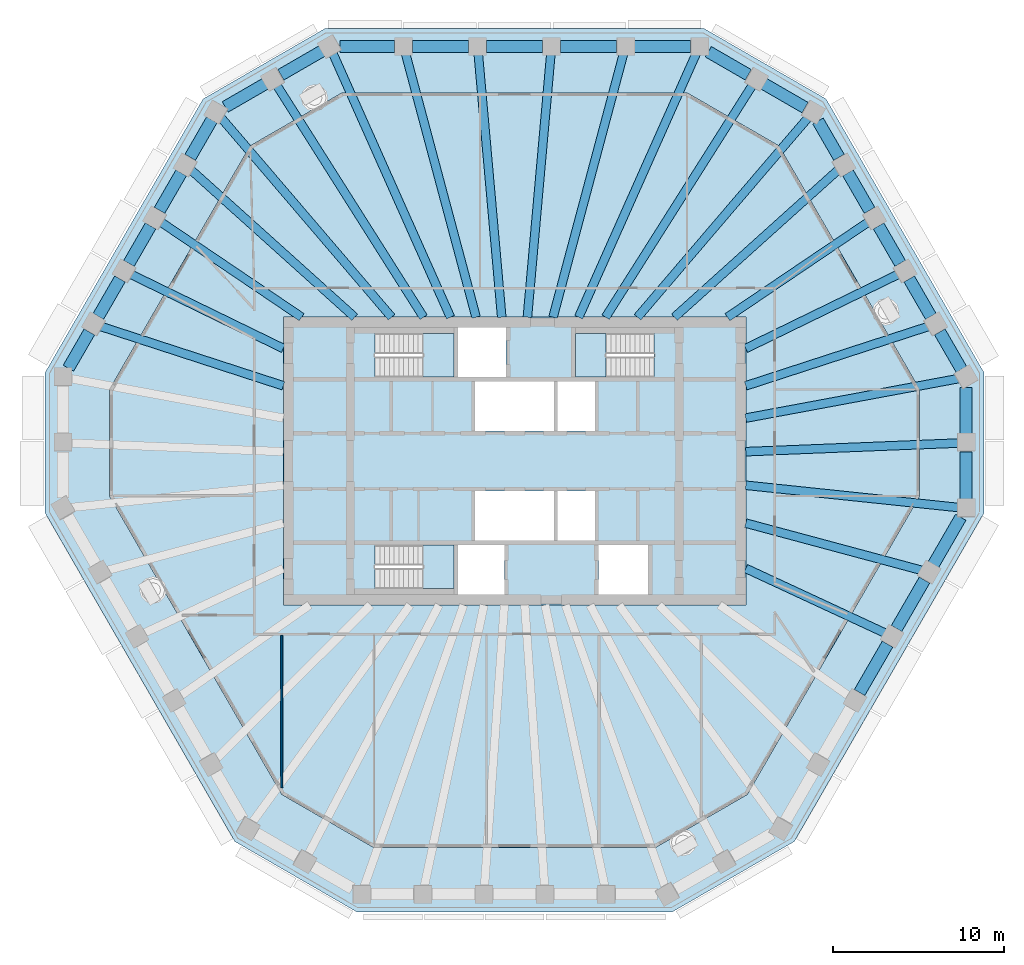
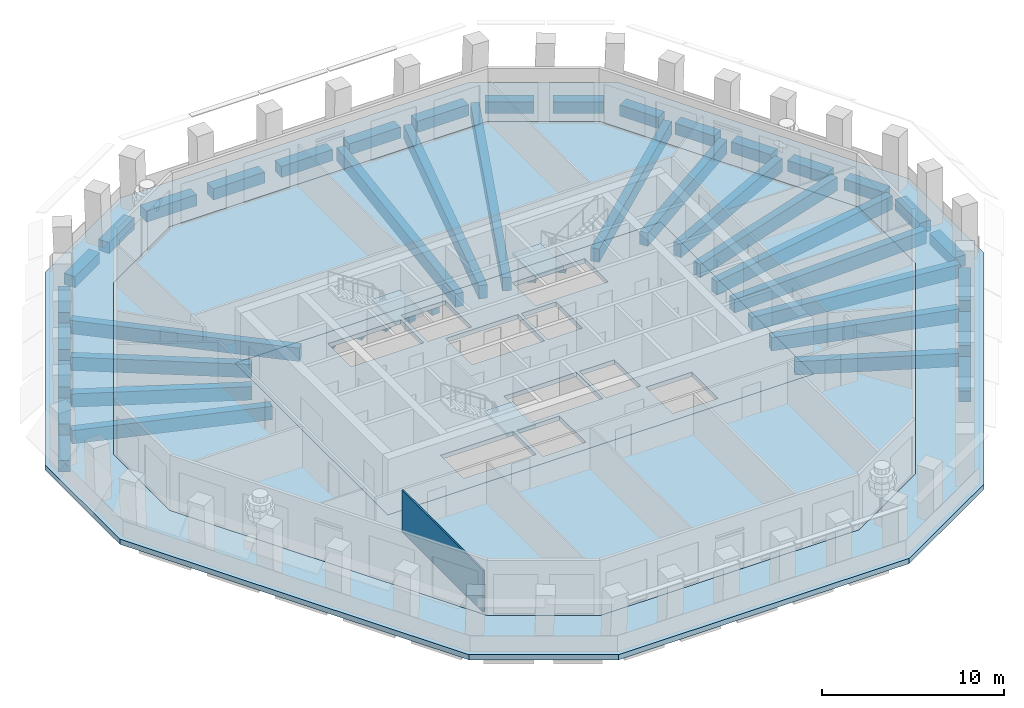
# One storey, part 2 of 12: 47 beams, 6 slabs, 1 wall, 3 elements without a shape of their own.
"""IFC4 building model written with IfcOpenShell, lengths in metres."""

from ifc_helpers import new_model, si_unit, direction, frame, frame_2d, origin, origin_2d, place, context, subcontext, project, spatial, polyline, rectangle, outline, extrude, material, layer, layer_set, material_profile, profile_set, type_object, element, aggregate, save


model = new_model("IFC4")

# Units and contexts
model_context = context("Model", 3, precision=1e-05, world=origin(), true_north=direction((0.0, 1.0)))
body_context = subcontext(model_context, "Body", "Model", "MODEL_VIEW")
ifc_project = project(units=[si_unit("LENGTHUNIT", "METRE"), si_unit("AREAUNIT", "SQUARE_METRE"), si_unit("VOLUMEUNIT", "CUBIC_METRE"), si_unit("PLANEANGLEUNIT", "RADIAN"), si_unit("MASSUNIT", "GRAM", prefix="KILO")], contexts=[model_context])

# Site, building, storey
site_placement = place(None, origin())
site = spatial("IfcSite", under=ifc_project, at=site_placement, CompositionType="ELEMENT")
building_placement = place(site_placement, origin())
building = spatial("IfcBuilding", under=site, at=building_placement, Name="Frailejon Research Tower", CompositionType="ELEMENT")
storey_placement = place(building_placement, frame((0.0, 0.0, 245.39990234375)))
storey = spatial("IfcBuildingStorey", under=building, at=storey_placement, Name="L53", CompositionType="ELEMENT", Elevation=245.39990234375)

# Beams
ifc_material_1 = material(Name="Concrete C60/75", Category="concrete")
ifc_material_profile_1 = material_profile(ifc_material_1, rectangle(XDim=0.5, YDim=0.89990234375, at=origin_2d()), Name="Girder 500x900")
ifc_profile_set_1 = profile_set([ifc_material_profile_1], Name="Concrete C60/75")
beam_type_1 = type_object("IfcBeamType", Name="Girder 500x900", PredefinedType="BEAM", material=ifc_profile_set_1)
beam_1_placement = place(storey_placement, frame((25.9755859375, -2.718994140625, -0.75), z_axis=(-0.994565968146, 0.104108285002, 0.0), x_axis=(-0.104108285002, -0.994565968146, 0.0)))
element("IfcBeam", 1, at=beam_1_placement, inside=storey, type_object=beam_type_1, Name="Girder 500x900", PredefinedType="BEAM", context=body_context, shape_type="SweptSolid", body=[
    extrude(rectangle(XDim=0.5, YDim=0.89990234375, at=origin_2d()), origin(), (0.0, 0.0, 1.0), 12.543701171875),
])
beam_2_placement = place(storey_placement, frame((25.976318359375, 1.05322265625, -0.75), z_axis=(-0.999179040655, -0.040512278579, 0.0), x_axis=(0.040512278579, -0.999179040655, 0.0)))
element("IfcBeam", 2, at=beam_2_placement, inside=storey, type_object=beam_type_1, Name="Girder 500x900", PredefinedType="BEAM", context=body_context, shape_type="SweptSolid", body=[
    extrude(rectangle(XDim=0.5, YDim=0.89990234375, at=origin_2d()), origin(), (0.0, 0.0, 1.0), 12.486572265625),
])
beam_3_placement = place(storey_placement, frame((25.951416015625, 4.82080078125, -0.75), z_axis=(-0.983180478645, -0.182636651334, 0.0), x_axis=(0.182636651334, -0.983180478645, 0.0)))
element("IfcBeam", 3, at=beam_3_placement, inside=storey, type_object=beam_type_1, Name="Girder 500x900", PredefinedType="BEAM", context=body_context, shape_type="SweptSolid", body=[
    extrude(rectangle(XDim=0.5, YDim=0.89990234375, at=origin_2d()), origin(), (0.0, 0.0, 1.0), 12.664306640625),
])
beam_4_placement = place(storey_placement, frame((24.1962890625, 7.87109375, -0.75), z_axis=(-0.950950452179, -0.309343235745, 0.0), x_axis=(0.309343235745, -0.950950452179, 0.0)))
element("IfcBeam", 4, at=beam_4_placement, inside=storey, type_object=beam_type_1, Name="Girder 500x900", PredefinedType="BEAM", context=body_context, shape_type="SweptSolid", body=[
    extrude(rectangle(XDim=0.5, YDim=0.89990234375, at=origin_2d()), origin(), (0.0, 0.0, 1.0), 11.248046875),
])
beam_5_placement = place(storey_placement, frame((22.4384765625, 10.921630859375, -0.75), z_axis=(-0.899150472103, -0.437639610316, 0.0), x_axis=(0.437639610316, -0.899150472103, 0.0)))
element("IfcBeam", 5, at=beam_5_placement, inside=storey, type_object=beam_type_1, Name="Girder 500x900", PredefinedType="BEAM", context=body_context, shape_type="SweptSolid", body=[
    extrude(rectangle(XDim=0.5, YDim=0.89990234375, at=origin_2d()), origin(), (0.0, 0.0, 1.0), 9.94091796875),
])
beam_6_placement = place(storey_placement, frame((20.677734375, 13.971435546875, -0.75), z_axis=(-0.828588353531, -0.559858321715, 0.0), x_axis=(0.559858321715, -0.828588353531, 0.0)))
element("IfcBeam", 6, at=beam_6_placement, inside=storey, type_object=beam_type_1, Name="Girder 500x900", PredefinedType="BEAM", context=body_context, shape_type="SweptSolid", body=[
    extrude(rectangle(XDim=0.5, YDim=0.89990234375, at=origin_2d()), origin(), (0.0, 0.0, 1.0), 9.95166015625),
])
beam_7_placement = place(storey_placement, frame((18.914794921875, 17.01904296875, -0.75), z_axis=(-0.743373275469, -0.668876799805, 0.0), x_axis=(0.668876799805, -0.743373275469, 0.0)))
element("IfcBeam", 7, at=beam_7_placement, inside=storey, type_object=beam_type_1, Name="Girder 500x900", PredefinedType="BEAM", context=body_context, shape_type="SweptSolid", body=[
    extrude(rectangle(XDim=0.5, YDim=0.89990234375, at=origin_2d()), origin(), (0.0, 0.0, 1.0), 12.885986328125),
])
beam_8_placement = place(storey_placement, frame((17.16552734375, 20.081298828125, -0.75), z_axis=(-0.649758497003, -0.760140707746, 0.0), x_axis=(0.760140707746, -0.649758497003, 0.0)))
element("IfcBeam", 8, at=beam_8_placement, inside=storey, type_object=beam_type_1, Name="Girder 500x900", PredefinedType="BEAM", context=body_context, shape_type="SweptSolid", body=[
    extrude(rectangle(XDim=0.5, YDim=0.89990234375, at=origin_2d()), origin(), (0.0, 0.0, 1.0), 15.367431640625),
])
beam_9_placement = place(storey_placement, frame((13.900390625, 21.96923828125, -0.75), z_axis=(-0.534686695888, -0.845050375564, 0.0), x_axis=(0.845050375564, -0.534686695888, 0.0)))
element("IfcBeam", 9, at=beam_9_placement, inside=storey, type_object=beam_type_1, Name="Girder 500x900", PredefinedType="BEAM", context=body_context, shape_type="SweptSolid", body=[
    extrude(rectangle(XDim=0.5, YDim=0.89990234375, at=origin_2d()), origin(), (0.0, 0.0, 1.0), 16.057373046875),
])
beam_10_placement = place(storey_placement, frame((10.614013671875, 23.81201171875, -0.75), z_axis=(-0.407130291355, -0.913370092493, 0.0), x_axis=(0.913370092493, -0.407130291355, 0.0)))
element("IfcBeam", 10, at=beam_10_placement, inside=storey, type_object=beam_type_1, Name="Girder 500x900", PredefinedType="BEAM", context=body_context, shape_type="SweptSolid", body=[
    extrude(rectangle(XDim=0.5, YDim=0.89990234375, at=origin_2d()), origin(), (0.0, 0.0, 1.0), 16.873779296875),
])
beam_11_placement = place(storey_placement, frame((6.37060546875, 23.81982421875, -0.75), z_axis=(-0.258367051248, -0.966046824346, 0.0), x_axis=(0.966046824346, -0.258367051248, 0.0)))
element("IfcBeam", 11, at=beam_11_placement, inside=storey, type_object=beam_type_1, Name="Girder 500x900", PredefinedType="BEAM", context=body_context, shape_type="SweptSolid", body=[
    extrude(rectangle(XDim=0.5, YDim=0.89990234375, at=origin_2d()), origin(), (0.0, 0.0, 1.0), 15.9619140625),
])
for number, where, z_axis, x_axis, name in (
    (12, (2.123779296875, 23.824462890625, -0.75), (-0.088791448837, -0.996050239001, 0.0), (0.996050239001, -0.088791448837, 0.0), "Girder 500x900"),
    (13, (-2.123779296875, 23.824462890625, -0.75), (0.088791448837, -0.996050239001, 0.0), (0.996050239001, 0.088791448837, 0.0), "Girder 500x900"),
):
    element("IfcBeam", number, at=place(storey_placement, frame(where, z_axis=z_axis, x_axis=x_axis)), inside=storey, type_object=beam_type_1, Name=name, PredefinedType="BEAM", context=body_context, shape_type="SweptSolid", body=[
        extrude(rectangle(XDim=0.5, YDim=0.89990234375, at=origin_2d()), origin(), (0.0, 0.0, 1.0), 15.48583984375),
    ])
beam_12_placement = place(storey_placement, frame((-6.37060546875, 23.81982421875, -0.75), z_axis=(0.258367051248, -0.966046824346, 0.0), x_axis=(0.966046824346, 0.258367051248, 0.0)))
element("IfcBeam", 14, at=beam_12_placement, inside=storey, type_object=beam_type_1, Name="Girder 500x900", PredefinedType="BEAM", context=body_context, shape_type="SweptSolid", body=[
    extrude(rectangle(XDim=0.5, YDim=0.89990234375, at=origin_2d()), origin(), (0.0, 0.0, 1.0), 15.9619140625),
])
beam_13_placement = place(storey_placement, frame((-10.633056640625, 23.85498046875, -0.75), z_axis=(0.407124860992, -0.913372513032, 0.0), x_axis=(0.913372513032, 0.407124860992, 0.0)))
element("IfcBeam", 15, at=beam_13_placement, inside=storey, type_object=beam_type_1, Name="Girder 500x900", PredefinedType="BEAM", context=body_context, shape_type="SweptSolid", body=[
    extrude(rectangle(XDim=0.5, YDim=0.89990234375, at=origin_2d()), origin(), (0.0, 0.0, 1.0), 16.9208984375),
])
beam_14_placement = place(storey_placement, frame((-13.900390625, 21.96923828125, -0.75), z_axis=(0.534686695888, -0.845050375564, 0.0), x_axis=(0.845050375564, 0.534686695888, 0.0)))
element("IfcBeam", 16, at=beam_14_placement, inside=storey, type_object=beam_type_1, Name="Girder 500x900", PredefinedType="BEAM", context=body_context, shape_type="SweptSolid", body=[
    extrude(rectangle(XDim=0.5, YDim=0.89990234375, at=origin_2d()), origin(), (0.0, 0.0, 1.0), 16.057373046875),
])
beam_15_placement = place(storey_placement, frame((-17.150634765625, 20.06396484375, -0.75), z_axis=(0.649755646018, -0.760143144722, 0.0), x_axis=(0.760143144722, 0.649755646018, 0.0)))
element("IfcBeam", 17, at=beam_15_placement, inside=storey, type_object=beam_type_1, Name="Girder 500x900", PredefinedType="BEAM", context=body_context, shape_type="SweptSolid", body=[
    extrude(rectangle(XDim=0.5, YDim=0.89990234375, at=origin_2d()), origin(), (0.0, 0.0, 1.0), 15.344482421875),
])
beam_16_placement = place(storey_placement, frame((-18.914794921875, 17.01904296875, -0.75), z_axis=(0.743373275469, -0.668876799805, 0.0), x_axis=(0.668876799805, 0.743373275469, 0.0)))
element("IfcBeam", 18, at=beam_16_placement, inside=storey, type_object=beam_type_1, Name="Girder 500x900", PredefinedType="BEAM", context=body_context, shape_type="SweptSolid", body=[
    extrude(rectangle(XDim=0.5, YDim=0.89990234375, at=origin_2d()), origin(), (0.0, 0.0, 1.0), 12.885986328125),
])
beam_17_placement = place(storey_placement, frame((-20.677734375, 13.971435546875, -0.75), z_axis=(0.828588353531, -0.559858321715, 0.0), x_axis=(0.559858321715, 0.828588353531, 0.0)))
element("IfcBeam", 19, at=beam_17_placement, inside=storey, type_object=beam_type_1, Name="Girder 500x900", PredefinedType="BEAM", context=body_context, shape_type="SweptSolid", body=[
    extrude(rectangle(XDim=0.5, YDim=0.89990234375, at=origin_2d()), origin(), (0.0, 0.0, 1.0), 9.95166015625),
])
beam_18_placement = place(storey_placement, frame((-22.4384765625, 10.921630859375, -0.75), z_axis=(0.899150472103, -0.437639610316, 0.0), x_axis=(0.437639610316, 0.899150472103, 0.0)))
element("IfcBeam", 20, at=beam_18_placement, inside=storey, type_object=beam_type_1, Name="Girder 500x900", PredefinedType="BEAM", context=body_context, shape_type="SweptSolid", body=[
    extrude(rectangle(XDim=0.5, YDim=0.89990234375, at=origin_2d()), origin(), (0.0, 0.0, 1.0), 9.94091796875),
])
beam_19_placement = place(storey_placement, frame((-24.1962890625, 7.87109375, -0.75), z_axis=(0.950950452179, -0.309343235745, 0.0), x_axis=(0.309343235745, 0.950950452179, 0.0)))
element("IfcBeam", 21, at=beam_19_placement, inside=storey, type_object=beam_type_1, Name="Girder 500x900", PredefinedType="BEAM", context=body_context, shape_type="SweptSolid", body=[
    extrude(rectangle(XDim=0.5, YDim=0.89990234375, at=origin_2d()), origin(), (0.0, 0.0, 1.0), 11.248046875),
])
beam_20_placement = place(storey_placement, frame((21.694580078125, -10.07275390625, -0.75), z_axis=(-0.90700638742, 0.421116864041, 0.0), x_axis=(-0.421116864041, -0.90700638742, 0.0)))
element("IfcBeam", 22, at=beam_20_placement, inside=storey, type_object=beam_type_1, Name="Girder 500x900", PredefinedType="BEAM", context=body_context, shape_type="SweptSolid", body=[
    extrude(rectangle(XDim=0.5, YDim=0.89990234375, at=origin_2d()), origin(), (0.0, 0.0, 1.0), 9.03466796875),
])
beam_21_placement = place(storey_placement, frame((23.81396484375, -6.392822265625, -0.75), z_axis=(-0.965804449362, 0.259271605837, 0.0), x_axis=(-0.259271605837, -0.965804449362, 0.0)))
element("IfcBeam", 23, at=beam_21_placement, inside=storey, type_object=beam_type_1, Name="Girder 500x900", PredefinedType="BEAM", context=body_context, shape_type="SweptSolid", body=[
    extrude(rectangle(XDim=0.5, YDim=0.89990234375, at=origin_2d()), origin(), (0.0, 0.0, 1.0), 10.67919921875),
])
ifc_material_2 = material(Name="Concrete C60/75", Category="concrete")
ifc_material_profile_2 = material_profile(ifc_material_2, rectangle(XDim=0.699951171875, YDim=0.75, at=origin_2d()), Name="Spandrel 700x750")
ifc_profile_set_2 = profile_set([ifc_material_profile_2], Name="Concrete C60/75")
beam_type_2 = type_object("IfcBeamType", Name="Spandrel 700x750", PredefinedType="BEAM", material=ifc_profile_set_2)
beam_22_placement = place(storey_placement, frame((26.351318359375, -2.233154296875, -0.724853515625), z_axis=(0.0, 1.0, 0.0), x_axis=(-1.0, 0.0, 0.0)))
element("IfcBeam", 24, at=beam_22_placement, inside=storey, type_object=beam_type_2, Name="Spandrel 700x750", PredefinedType="BEAM", context=body_context, shape_type="SweptSolid", body=[
    extrude(rectangle(XDim=0.699951171875, YDim=0.75, at=origin_2d()), origin(), (0.0, 0.0, 1.0), 2.776611328125),
])
beam_23_placement = place(storey_placement, frame((26.351318359375, 1.593505859375, -0.724853515625), z_axis=(0.0, 1.0, 0.0), x_axis=(-1.0, 0.0, 0.0)))
element("IfcBeam", 25, at=beam_23_placement, inside=storey, type_object=beam_type_2, Name="Spandrel 700x750", PredefinedType="BEAM", context=body_context, shape_type="SweptSolid", body=[
    extrude(rectangle(XDim=0.699951171875, YDim=0.75, at=origin_2d()), origin(), (0.0, 0.0, 1.0), 2.695556640625),
])
beam_24_placement = place(storey_placement, frame((26.0888671875, 5.349853515625, -0.724853515625), z_axis=(-0.500060077041, 0.86599071551, 0.0), x_axis=(-0.86599071551, -0.500060077041, 0.0)))
element("IfcBeam", 26, at=beam_24_placement, inside=storey, type_object=beam_type_2, Name="Spandrel 700x750", PredefinedType="BEAM", context=body_context, shape_type="SweptSolid", body=[
    extrude(rectangle(XDim=0.699951171875, YDim=0.75, at=origin_2d()), origin(), (0.0, 0.0, 1.0), 2.524658203125),
])
beam_25_placement = place(storey_placement, frame((24.301513671875, 8.445556640625, -0.724853515625), z_axis=(-0.500029427677, 0.866008413041, 0.0), x_axis=(-0.866008413041, -0.500029427677, 0.0)))
element("IfcBeam", 27, at=beam_25_placement, inside=storey, type_object=beam_type_2, Name="Spandrel 700x750", PredefinedType="BEAM", context=body_context, shape_type="SweptSolid", body=[
    extrude(rectangle(XDim=0.699951171875, YDim=0.75, at=origin_2d()), origin(), (0.0, 0.0, 1.0), 2.524169921875),
])
beam_26_placement = place(storey_placement, frame((22.514404296875, 11.541015625, -0.724853515625), z_axis=(-0.500060077041, 0.86599071551, 0.0), x_axis=(-0.86599071551, -0.500060077041, 0.0)))
element("IfcBeam", 28, at=beam_26_placement, inside=storey, type_object=beam_type_2, Name="Spandrel 700x750", PredefinedType="BEAM", context=body_context, shape_type="SweptSolid", body=[
    extrude(rectangle(XDim=0.699951171875, YDim=0.75, at=origin_2d()), origin(), (0.0, 0.0, 1.0), 2.524658203125),
])
beam_27_placement = place(storey_placement, frame((20.72705078125, 14.63671875, -0.724853515625), z_axis=(-0.499987549055, 0.866032592222, 0.0), x_axis=(-0.866032592222, -0.499987549055, 0.0)))
element("IfcBeam", 29, at=beam_27_placement, inside=storey, type_object=beam_type_2, Name="Spandrel 700x750", PredefinedType="BEAM", context=body_context, shape_type="SweptSolid", body=[
    extrude(rectangle(XDim=0.699951171875, YDim=0.75, at=origin_2d()), origin(), (0.0, 0.0, 1.0), 2.5244140625),
])
beam_28_placement = place(storey_placement, frame((18.939697265625, 17.732421875, -0.724853515625), z_axis=(-0.500007885066, 0.866020851292, 0.0), x_axis=(-0.866020851292, -0.500007885066, 0.0)))
element("IfcBeam", 30, at=beam_28_placement, inside=storey, type_object=beam_type_2, Name="Spandrel 700x750", PredefinedType="BEAM", context=body_context, shape_type="SweptSolid", body=[
    extrude(rectangle(XDim=0.699951171875, YDim=0.75, at=origin_2d()), origin(), (0.0, 0.0, 1.0), 2.443359375),
])
beam_29_placement = place(storey_placement, frame((16.960205078125, 20.6357421875, -0.724853515625), z_axis=(-0.865999619105, 0.500044657716, 0.0), x_axis=(-0.500044657716, -0.865999619105, 0.0)))
element("IfcBeam", 31, at=beam_29_placement, inside=storey, type_object=beam_type_2, Name="Spandrel 700x750", PredefinedType="BEAM", context=body_context, shape_type="SweptSolid", body=[
    extrude(rectangle(XDim=0.699951171875, YDim=0.75, at=origin_2d()), origin(), (0.0, 0.0, 1.0), 2.776611328125),
])
beam_30_placement = place(storey_placement, frame((13.646240234375, 22.549072265625, -0.724853515625), z_axis=(-0.86598798235, 0.500064810224, 0.0), x_axis=(-0.500064810224, -0.86598798235, 0.0)))
element("IfcBeam", 32, at=beam_30_placement, inside=storey, type_object=beam_type_2, Name="Spandrel 700x750", PredefinedType="BEAM", context=body_context, shape_type="SweptSolid", body=[
    extrude(rectangle(XDim=0.699951171875, YDim=0.75, at=origin_2d()), origin(), (0.0, 0.0, 1.0), 2.695556640625),
])
beam_31_placement = place(storey_placement, frame((10.261962890625, 24.199951171875, -0.724853515625), z_axis=(-1.0, 0.0, 0.0), x_axis=(0.0, -1.0, 0.0)))
element("IfcBeam", 33, at=beam_31_placement, inside=storey, type_object=beam_type_2, Name="Spandrel 700x750", PredefinedType="BEAM", context=body_context, shape_type="SweptSolid", body=[
    extrude(rectangle(XDim=0.699951171875, YDim=0.75, at=origin_2d()), origin(), (0.0, 0.0, 1.0), 3.2646484375),
])
beam_32_placement = place(storey_placement, frame((5.947265625, 24.199951171875, -0.724853515625), z_axis=(-1.0, 0.0, 0.0), x_axis=(0.0, -1.0, 0.0)))
element("IfcBeam", 34, at=beam_32_placement, inside=storey, type_object=beam_type_2, Name="Spandrel 700x750", PredefinedType="BEAM", context=body_context, shape_type="SweptSolid", body=[
    extrude(rectangle(XDim=0.699951171875, YDim=0.75, at=origin_2d()), origin(), (0.0, 0.0, 1.0), 3.264892578125),
])
beam_33_placement = place(storey_placement, frame((1.63232421875, 24.199951171875, -0.724853515625), z_axis=(-1.0, 0.0, 0.0), x_axis=(0.0, -1.0, 0.0)))
element("IfcBeam", 35, at=beam_33_placement, inside=storey, type_object=beam_type_2, Name="Spandrel 700x750", PredefinedType="BEAM", context=body_context, shape_type="SweptSolid", body=[
    extrude(rectangle(XDim=0.699951171875, YDim=0.75, at=origin_2d()), origin(), (0.0, 0.0, 1.0), 3.2646484375),
])
beam_34_placement = place(storey_placement, frame((-2.682373046875, 24.199951171875, -0.724853515625), z_axis=(-1.0, 0.0, 0.0), x_axis=(0.0, -1.0, 0.0)))
element("IfcBeam", 36, at=beam_34_placement, inside=storey, type_object=beam_type_2, Name="Spandrel 700x750", PredefinedType="BEAM", context=body_context, shape_type="SweptSolid", body=[
    extrude(rectangle(XDim=0.699951171875, YDim=0.75, at=origin_2d()), origin(), (0.0, 0.0, 1.0), 3.264892578125),
])
beam_35_placement = place(storey_placement, frame((-6.997314453125, 24.199951171875, -0.724853515625), z_axis=(-1.0, 0.0, 0.0), x_axis=(0.0, -1.0, 0.0)))
element("IfcBeam", 37, at=beam_35_placement, inside=storey, type_object=beam_type_2, Name="Spandrel 700x750", PredefinedType="BEAM", context=body_context, shape_type="SweptSolid", body=[
    extrude(rectangle(XDim=0.699951171875, YDim=0.75, at=origin_2d()), origin(), (0.0, 0.0, 1.0), 3.183349609375),
])
beam_36_placement = place(storey_placement, frame((-11.24169921875, 23.9375, -0.724853515625), z_axis=(-0.865999619105, -0.500044657716, 0.0), x_axis=(0.500044657716, -0.865999619105, 0.0)))
element("IfcBeam", 38, at=beam_36_placement, inside=storey, type_object=beam_type_2, Name="Spandrel 700x750", PredefinedType="BEAM", context=body_context, shape_type="SweptSolid", body=[
    extrude(rectangle(XDim=0.699951171875, YDim=0.75, at=origin_2d()), origin(), (0.0, 0.0, 1.0), 2.776611328125),
])
beam_37_placement = place(storey_placement, frame((-14.5556640625, 22.024169921875, -0.724853515625), z_axis=(-0.866027204995, -0.499996880198, 0.0), x_axis=(0.499996880198, -0.866027204995, 0.0)))
element("IfcBeam", 39, at=beam_37_placement, inside=storey, type_object=beam_type_2, Name="Spandrel 700x750", PredefinedType="BEAM", context=body_context, shape_type="SweptSolid", body=[
    extrude(rectangle(XDim=0.699951171875, YDim=0.75, at=origin_2d()), origin(), (0.0, 0.0, 1.0), 2.6953125),
])
for number, where, z_axis, x_axis, name in (
    (40, (-17.677490234375, 19.918701171875, -0.724853515625), (-0.499987549055, -0.866032592222, 0.0), (0.866032592222, -0.499987549055, 0.0), "Spandrel 700x750"),
    (41, (-19.46484375, 16.822998046875, -0.724853515625), (-0.499987549055, -0.866032592222, 0.0), (0.866032592222, -0.499987549055, 0.0), "Spandrel 700x750"),
):
    element("IfcBeam", number, at=place(storey_placement, frame(where, z_axis=z_axis, x_axis=x_axis)), inside=storey, type_object=beam_type_2, Name=name, PredefinedType="BEAM", context=body_context, shape_type="SweptSolid", body=[
        extrude(rectangle(XDim=0.699951171875, YDim=0.75, at=origin_2d()), origin(), (0.0, 0.0, 1.0), 2.5244140625),
    ])
beam_38_placement = place(storey_placement, frame((-21.251953125, 13.727294921875, -0.724853515625), z_axis=(-0.500060077041, -0.86599071551, 0.0), x_axis=(0.86599071551, -0.500060077041, 0.0)))
element("IfcBeam", 42, at=beam_38_placement, inside=storey, type_object=beam_type_2, Name="Spandrel 700x750", PredefinedType="BEAM", context=body_context, shape_type="SweptSolid", body=[
    extrude(rectangle(XDim=0.699951171875, YDim=0.75, at=origin_2d()), origin(), (0.0, 0.0, 1.0), 2.524658203125),
])
beam_39_placement = place(storey_placement, frame((-23.039306640625, 10.631591796875, -0.724853515625), z_axis=(-0.500029427677, -0.866008413041, 0.0), x_axis=(0.866008413041, -0.500029427677, 0.0)))
element("IfcBeam", 43, at=beam_39_placement, inside=storey, type_object=beam_type_2, Name="Spandrel 700x750", PredefinedType="BEAM", context=body_context, shape_type="SweptSolid", body=[
    extrude(rectangle(XDim=0.699951171875, YDim=0.75, at=origin_2d()), origin(), (0.0, 0.0, 1.0), 2.524169921875),
])
beam_40_placement = place(storey_placement, frame((-24.826416015625, 7.5361328125, -0.724853515625), z_axis=(-0.500007885066, -0.866020851292, 0.0), x_axis=(0.866020851292, -0.500007885066, 0.0)))
element("IfcBeam", 44, at=beam_40_placement, inside=storey, type_object=beam_type_2, Name="Spandrel 700x750", PredefinedType="BEAM", context=body_context, shape_type="SweptSolid", body=[
    extrude(rectangle(XDim=0.699951171875, YDim=0.75, at=origin_2d()), origin(), (0.0, 0.0, 1.0), 2.443359375),
])
for number, where, z_axis, x_axis, name in (
    (45, (20.1416015625, -13.513671875, -0.724853515625), (0.499983540639, 0.866034906392, 0.0), (-0.866034906392, 0.499983540639, 0.0), "Spandrel 700x750"),
    (46, (22.299072265625, -9.77685546875, -0.724853515625), (0.500015922655, 0.86601621064, 0.0), (-0.86601621064, 0.500015922655, 0.0), "Spandrel 700x750"),
):
    element("IfcBeam", number, at=place(storey_placement, frame(where, z_axis=z_axis, x_axis=x_axis)), inside=storey, type_object=beam_type_2, Name=name, PredefinedType="BEAM", context=body_context, shape_type="SweptSolid", body=[
        extrude(rectangle(XDim=0.699951171875, YDim=0.75, at=origin_2d()), origin(), (0.0, 0.0, 1.0), 3.2646484375),
    ])
beam_41_placement = place(storey_placement, frame((24.456298828125, -6.040283203125, -0.724853515625), z_axis=(0.499999045824, 0.866025954677, 0.0), x_axis=(-0.866025954677, 0.499999045824, 0.0)))
element("IfcBeam", 47, at=beam_41_placement, inside=storey, type_object=beam_type_2, Name="Spandrel 700x750", PredefinedType="BEAM", context=body_context, shape_type="SweptSolid", body=[
    extrude(rectangle(XDim=0.699951171875, YDim=0.75, at=origin_2d()), origin(), (0.0, 0.0, 1.0), 3.18359375),
])

# Slabs
ifc_material_3 = material(Name="Concrete C60/75", Category="concrete")
ifc_layer_1 = layer(ifc_material_3, 0.300048828125)
ifc_layer_set_1 = layer_set([ifc_layer_1], Name="Core floor slab 300 C60/75")
slab_type_1 = type_object("IfcSlabType", Name="Core floor slab 300 C60/75", PredefinedType="FLOOR", material=ifc_layer_set_1)
slab_1_placement = place(storey_placement, frame((0.0, 0.0, -0.2998046875)))
element("IfcSlab", 48, at=slab_1_placement, inside=storey, type_object=slab_type_1, Name="Core floor slab", PredefinedType="FLOOR", context=body_context, shape_type="SweptSolid", body=[
    extrude(outline(polyline([(13.5, -8.39990234375), (13.5, 8.39990234375), (-13.5, 8.39990234375), (-13.5, -8.39990234375), (13.5, -8.39990234375)]), holes=[polyline([(2.300048828125, 1.75), (2.300048828125, 4.64990234375), (-2.300048828125, 4.64990234375), (-2.300048828125, 1.75), (2.300048828125, 1.75)]), polyline([(4.699951171875, 1.75), (4.699951171875, 4.64990234375), (2.5, 4.64990234375), (2.5, 1.75), (4.699951171875, 1.75)]), polyline([(2.300048828125, -4.64990234375), (2.300048828125, -1.75), (-2.300048828125, -1.75), (-2.300048828125, -4.64990234375), (2.300048828125, -4.64990234375)]), polyline([(4.699951171875, -4.64990234375), (4.699951171875, -1.75), (2.5, -1.75), (2.5, -4.64990234375), (4.699951171875, -4.64990234375)]), polyline([(-8.14697265625, 4.89990234375), (-3.550048828125, 4.89990234375), (-3.550048828125, 7.449951171875), (-8.14697265625, 7.449951171875), (-8.14697265625, 4.89990234375)]), polyline([(-8.14697265625, -7.449951171875), (-3.550048828125, -7.449951171875), (-3.550048828125, -4.89990234375), (-8.14697265625, -4.89990234375), (-8.14697265625, -7.449951171875)]), polyline([(8.14697265625, 7.449951171875), (3.550048828125, 7.449951171875), (3.550048828125, 4.89990234375), (8.14697265625, 4.89990234375), (8.14697265625, 7.449951171875)]), polyline([(-0.60009765625, -7.800048828125), (-0.60009765625, -4.89990234375), (-3.300048828125, -4.89990234375), (-3.300048828125, -7.800048828125), (-0.60009765625, -7.800048828125)]), polyline([(7.800048828125, -7.800048828125), (7.800048828125, -4.89990234375), (4.89990234375, -4.89990234375), (4.89990234375, -7.800048828125), (7.800048828125, -7.800048828125)]), polyline([(-0.5, 4.89990234375), (-0.5, 7.800048828125), (-3.300048828125, 7.800048828125), (-3.300048828125, 4.89990234375), (-0.5, 4.89990234375)])]), origin(), (0.0, 0.0, 1.0), 0.2998046875),
])
ifc_material_4 = material(Name="Concrete C40/50", Category="concrete")
ifc_layer_2 = layer(ifc_material_4, 0.35009765625)
ifc_layer_set_2 = layer_set([ifc_layer_2], Name="Loggia slab 350")
slab_type_2 = type_object("IfcSlabType", Name="Loggia slab 350", PredefinedType="USERDEFINED", material=ifc_layer_set_2)
slab_2_placement = place(storey_placement, frame((0.0, 0.0, -0.349853515625)))
element("IfcSlab", 49, at=slab_2_placement, inside=storey, type_object=slab_type_2, Name="Loggia slab L53", ObjectType="LOGGIA", PredefinedType="USERDEFINED", context=body_context, shape_type="SweptSolid", body=[
    extrude(outline(polyline([(16.3330078125, -22.21044921875), (9.217529296875, -26.318603515625), (-9.217529296875, -26.318603515625), (-16.3330078125, -22.21044921875), (-27.4013671875, -3.03955078125), (-27.4013671875, 5.176513671875), (-18.18359375, 21.141845703125), (-11.068359375, 25.25), (11.068359375, 25.25), (18.18359375, 21.141845703125), (27.4013671875, 5.176513671875), (27.4013671875, -3.03955078125), (16.3330078125, -22.21044921875)]), holes=[polyline([(23.6513671875, 4.171875), (15.4384765625, 18.396728515625), (10.0634765625, 21.5), (-10.0634765625, 21.5), (-15.4384765625, 18.396728515625), (-23.6513671875, 4.171875), (-23.6513671875, -2.034912109375), (-13.587890625, -19.465087890625), (-8.212890625, -22.568603515625), (8.212890625, -22.568603515625), (13.587890625, -19.465087890625), (23.6513671875, -2.034912109375), (23.6513671875, 4.171875)])]), origin(), (0.0, 0.0, 1.0), 0.349853515625),
])
ifc_material_5 = material(Name="Concrete C40/50", Category="concrete")
ifc_layer_3 = layer(ifc_material_5, 0.300048828125)
ifc_layer_set_3 = layer_set([ifc_layer_3], Name="Slab typical 300")
slab_type_3 = type_object("IfcSlabType", Name="Slab typical 300", PredefinedType="FLOOR", material=ifc_layer_set_3)
slab_3_placement = place(storey_placement, frame((0.0, 0.0, -0.2998046875)))
element("IfcSlab", 50, at=slab_3_placement, inside=storey, type_object=slab_type_3, Name="Floor slab L53", PredefinedType="FLOOR", context=body_context, shape_type="SweptSolid", body=[
    extrude(outline(polyline([(23.6513671875, -2.034912109375), (23.6513671875, 4.171875), (15.4384765625, 18.396728515625), (10.0634765625, 21.5), (-10.0634765625, 21.5), (-15.4384765625, 18.396728515625), (-23.6513671875, 4.171875), (-23.6513671875, -2.034912109375), (-13.587890625, -19.465087890625), (-8.212890625, -22.568603515625), (8.212890625, -22.568603515625), (13.587890625, -19.465087890625), (23.6513671875, -2.034912109375)]), holes=[polyline([(13.5, -8.39990234375), (-13.5, -8.39990234375), (-13.5, 8.39990234375), (13.5, 8.39990234375), (13.5, -8.39990234375)])]), origin(), (0.0, 0.0, 1.0), 0.2998046875),
])

# Stair, slab
ifc_material_6 = material(Name="Concrete C50/60", Category="concrete")
stair_type = type_object("IfcStairType", Name="Exit stair 22 risers", PredefinedType="HALF_TURN_STAIR", material=ifc_material_6)
stair_1_placement = place(storey_placement, origin())
stair_1 = element("IfcStair", 51, at=stair_1_placement, inside=storey, type_object=stair_type, Name="L53 Exit stair ST1", PredefinedType="HALF_TURN_STAIR")
ifc_material_7 = material(Name="Concrete C50/60", Category="concrete")
ifc_layer_4 = layer(ifc_material_7, 0.199951171875)
ifc_layer_set_4 = layer_set([ifc_layer_4], Name="Stair landing slab 200")
slab_type_4 = type_object("IfcSlabType", Name="Stair landing slab 200", PredefinedType="LANDING", material=ifc_layer_set_4)
slab_4_placement = place(storey_placement, frame((0.0, 0.0, 1.800048828125)))
slab_4 = element("IfcSlab", 52, at=slab_4_placement, type_object=slab_type_4, Name="ST1 landing 1", PredefinedType="LANDING", context=body_context, shape_type="SweptSolid", body=[
    extrude(outline(polyline([(-5.35009765625, 4.89990234375), (-3.550048828125, 4.89990234375), (-3.550048828125, 7.449951171875), (-5.35009765625, 7.449951171875), (-5.35009765625, 4.89990234375)])), origin(), (0.0, 0.0, 1.0), 0.199951171875),
])
aggregate(stair_1, [slab_4])

stair_2_placement = place(storey_placement, origin())
stair_2 = element("IfcStair", 53, at=stair_2_placement, inside=storey, type_object=stair_type, Name="L53 Exit stair ST2", PredefinedType="HALF_TURN_STAIR")
slab_5_placement = place(storey_placement, frame((0.0, 0.0, 1.800048828125)))
slab_5 = element("IfcSlab", 54, at=slab_5_placement, type_object=slab_type_4, Name="ST2 landing 1", PredefinedType="LANDING", context=body_context, shape_type="SweptSolid", body=[
    extrude(outline(polyline([(-5.35009765625, -7.449951171875), (-3.550048828125, -7.449951171875), (-3.550048828125, -4.89990234375), (-5.35009765625, -4.89990234375), (-5.35009765625, -7.449951171875)])), origin(), (0.0, 0.0, 1.0), 0.199951171875),
])
aggregate(stair_2, [slab_5])

stair_3_placement = place(storey_placement, origin())
stair_3 = element("IfcStair", 55, at=stair_3_placement, inside=storey, type_object=stair_type, Name="L53 Exit stair ST3", PredefinedType="HALF_TURN_STAIR")
slab_6_placement = place(storey_placement, frame((0.0, 0.0, 1.800048828125)))
slab_6 = element("IfcSlab", 56, at=slab_6_placement, type_object=slab_type_4, Name="ST3 landing 1", PredefinedType="LANDING", context=body_context, shape_type="SweptSolid", body=[
    extrude(outline(polyline([(5.35009765625, 7.449951171875), (3.550048828125, 7.449951171875), (3.550048828125, 4.89990234375), (5.35009765625, 4.89990234375), (5.35009765625, 7.449951171875)])), origin(), (0.0, 0.0, 1.0), 0.199951171875),
])
aggregate(stair_3, [slab_6])

# Wall
ifc_material_8 = material(Name="Gypsum board and masonry partition", Category="masonry")
ifc_layer_5 = layer(ifc_material_8, 0.10009765625)
ifc_layer_set_5 = layer_set([ifc_layer_5], Name="Partition, gypsum on steel studs 100")
wall_type = type_object("IfcWallType", Name="Partition, gypsum on steel studs 100", PredefinedType="PARTITIONING", material=ifc_layer_set_5)
wall_placement = place(storey_placement, frame((-13.587890625, -19.065185546875, 0.0), z_axis=(0.0, 0.0, 1.0), x_axis=(0.0, 1.0, 0.0)))
element("IfcWall", 57, at=wall_placement, inside=storey, type_object=wall_type, Name="T:IW:L53:021", PredefinedType="PARTITIONING", context=body_context, shape_type="SweptSolid", body=[
    extrude(rectangle(XDim=8.89013671875, YDim=0.10009765625, at=frame_2d((4.445068359375, 0.0))), origin(), (0.0, 0.0, 1.0), 2.800048828125),
])

save(model, "model.ifc")
